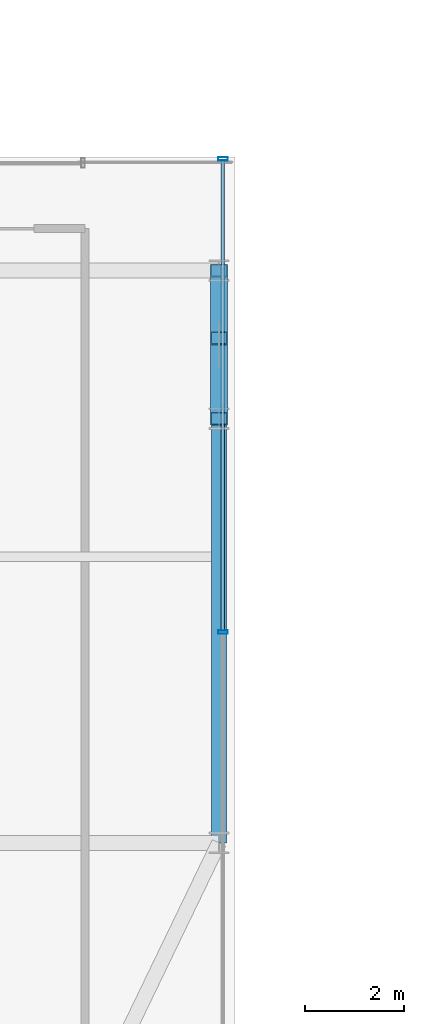
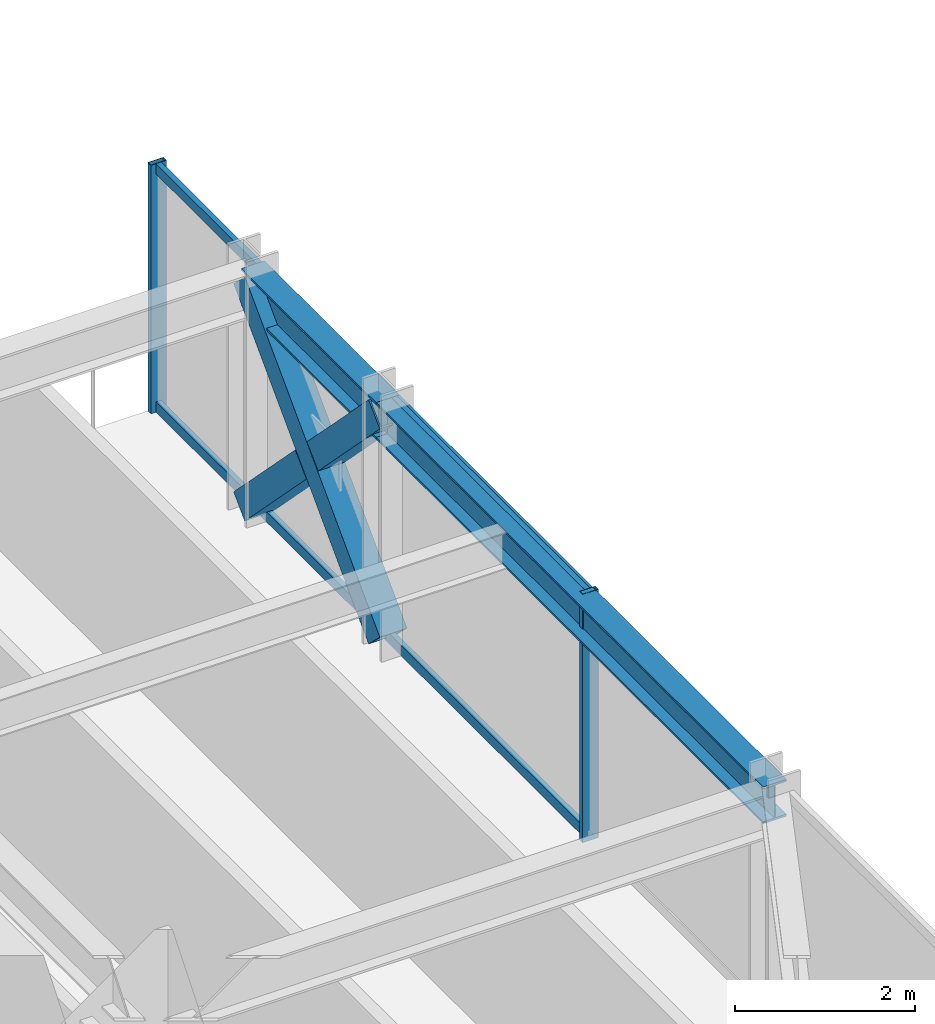
# One storey, part 18 of 43: 7 members, 2 beams, 1 element without a shape of its own.
"""IFC4 building model written with IfcOpenShell, lengths in metres."""

import ifcopenshell
import ifcopenshell.guid

model = None  # the IFC model being written
_history = None  # IfcOwnerHistory: only IFC2X3 demands one
_inside = {}  # id of a spatial element -> (the spatial element, [elements in it])
_under = {}  # id of a project, library or spatial element -> (it, [spatial elements below it])
_declared = {}  # id of a project -> (the project, [libraries it declares])
_typed = {}  # id of a type object -> (the type object, [elements of that type])
_made_of = {}  # id of a material, layer set ... -> (it, [elements and type objects made of it])


def new_model(schema):
    """Start an empty IFC model of exactly this schema.

    Asked for "IFC4X3", IfcOpenShell would pick the latest addendum, in which some entities
    have other attributes; the version numbers below select the first issue.
    IFC2X3 requires an IfcOwnerHistory on every rooted entity: one is made here for all.
    """
    global model, _history
    if schema == "IFC4X3":
        model = ifcopenshell.file(schema_version=(4, 3, 0, 0))
    else:
        model = ifcopenshell.file(schema=schema)
    _inside.clear()
    _under.clear()
    _declared.clear()
    _typed.clear()
    _made_of.clear()
    _history = None
    if model.schema == "IFC2X3":
        org = make("IfcOrganization", Name="unknown")
        user = make(
            "IfcPersonAndOrganization",
            ThePerson=make("IfcPerson", FamilyName="unknown"),
            TheOrganization=org,
        )
        app = make(
            "IfcApplication",
            ApplicationDeveloper=org,
            Version="unknown",
            ApplicationFullName="unknown",
            ApplicationIdentifier="unknown",
        )
        _history = make(
            "IfcOwnerHistory",
            OwningUser=user,
            OwningApplication=app,
            ChangeAction="ADDED",
            CreationDate=0,
        )
    return model


def make(cls, **values):
    """One entity of the class cls with the attributes given. An attribute that is None is left unset."""
    return model.create_entity(
        cls, **{name: value for name, value in values.items() if value is not None}
    )


def rooted(cls, **values):
    """An entity with a GlobalId (a new one), such as an element, a storey or a relation."""
    return make(cls, GlobalId=ifcopenshell.guid.new(), OwnerHistory=_history, **values)


def si_unit(unit_type, name, prefix=None):
    """IfcSIUnit, for example si_unit("LENGTHUNIT", "METRE", prefix="MILLI")."""
    return make("IfcSIUnit", UnitType=unit_type, Prefix=prefix, Name=name)


def assignment(units):
    """IfcUnitAssignment: the units of a project."""
    return None if units is None else make("IfcUnitAssignment", Units=units)


def point(xyz):
    """IfcCartesianPoint."""
    return None if xyz is None else make("IfcCartesianPoint", Coordinates=xyz)


def direction(xyz):
    """IfcDirection."""
    return None if xyz is None else make("IfcDirection", DirectionRatios=xyz)


def frame(location, z_axis=None, x_axis=None):
    """IfcAxis2Placement3D, a coordinate frame: its origin and axes. An axis left out is left unset."""
    return make(
        "IfcAxis2Placement3D",
        Location=point(location),
        Axis=direction(z_axis),
        RefDirection=direction(x_axis),
    )


def frame_2d(location, x_axis=None):
    """IfcAxis2Placement2D, a coordinate frame in the plane: its origin and x axis."""
    return make(
        "IfcAxis2Placement2D", Location=point(location), RefDirection=direction(x_axis)
    )


def origin():
    """The frame at (0, 0, 0) with its axes left unset."""
    return frame((0.0, 0.0, 0.0))


def origin_2d():
    """The frame at (0, 0) in the plane with its x axis left unset."""
    return frame_2d((0.0, 0.0))


def place(relative_to, where):
    """IfcLocalPlacement: puts the frame where relative to a parent placement (None: the world)."""
    return make(
        "IfcLocalPlacement", PlacementRelTo=relative_to, RelativePlacement=where
    )


def context(
    kind, dimensions, precision=None, world=None, true_north=None, identifier=None
):
    """IfcGeometricRepresentationContext, for example the 3D "Model" context."""
    return make(
        "IfcGeometricRepresentationContext",
        ContextIdentifier=identifier,
        ContextType=kind,
        CoordinateSpaceDimension=dimensions,
        Precision=precision,
        WorldCoordinateSystem=world,
        TrueNorth=true_north,
    )


def subcontext(parent, identifier, kind, view, scale=None):
    """IfcGeometricRepresentationSubContext, for example "Body" below "Model"."""
    return make(
        "IfcGeometricRepresentationSubContext",
        ContextIdentifier=identifier,
        ContextType=kind,
        ParentContext=parent,
        TargetScale=scale,
        TargetView=view,
    )


def project(units=None, contexts=None):
    """IfcProject with its units and contexts."""
    return rooted(
        "IfcProject",
        Name="project",
        RepresentationContexts=contexts,
        UnitsInContext=assignment(units),
    )


def spatial(cls, under=None, at=None, **own):
    """A site, building, storey or space (cls), placed at a placement, below another one or the project."""
    s = rooted(cls, ObjectPlacement=at, **own)
    if under is not None:
        _under.setdefault(under.id(), (under, []))[1].append(s)
    return s


def profile(cls, at=None, kind="AREA", **sizes):
    """A parametric profile (cls). Its sizes go by their IFC names, for example OverallWidth=200.0."""
    return make(cls, ProfileType=kind, Position=at, **sizes)


def hollow_rectangle(**sizes):
    """IfcRectangleHollowProfileDef."""
    return profile("IfcRectangleHollowProfileDef", **sizes)


def i_section(**sizes):
    """IfcIShapeProfileDef."""
    return profile("IfcIShapeProfileDef", **sizes)


def extrude(swept, where, along, depth):
    """IfcExtrudedAreaSolid: the profile swept, set in the frame where, extruded along a direction by depth."""
    return make(
        "IfcExtrudedAreaSolid",
        SweptArea=swept,
        Position=where,
        ExtrudedDirection=direction(along),
        Depth=depth,
    )


def shape(context_of_items, identifier, shape_type, items):
    """IfcShapeRepresentation: the items that make up one representation, for example the "Body"."""
    return make(
        "IfcShapeRepresentation",
        ContextOfItems=context_of_items,
        RepresentationIdentifier=identifier,
        RepresentationType=shape_type,
        Items=items,
    )


def source(mapping_origin, context_of_items, identifier, shape_type, items):
    """IfcRepresentationMap: a shape defined once, which mapped items show again and again."""
    return make(
        "IfcRepresentationMap",
        MappingOrigin=mapping_origin,
        MappedRepresentation=shape(context_of_items, identifier, shape_type, items),
    )


def transform(
    local_origin,
    x_axis=None,
    y_axis=None,
    z_axis=None,
    scale=None,
    scale2=None,
    scale3=None,
    uniform=True,
):
    """IfcCartesianTransformationOperator3D, or its non-uniform kind. x_axis, y_axis, z_axis: its Axis1, 2, 3."""
    if uniform:
        return make(
            "IfcCartesianTransformationOperator3D",
            Axis1=direction(x_axis),
            Axis2=direction(y_axis),
            LocalOrigin=point(local_origin),
            Scale=scale,
            Axis3=direction(z_axis),
        )
    return make(
        "IfcCartesianTransformationOperator3DnonUniform",
        Axis1=direction(x_axis),
        Axis2=direction(y_axis),
        LocalOrigin=point(local_origin),
        Scale=scale,
        Axis3=direction(z_axis),
        Scale2=scale2,
        Scale3=scale3,
    )


def mapped(mapping_source, mapping_target):
    """IfcMappedItem: shows the shape of a source again, moved by a transform."""
    return make(
        "IfcMappedItem", MappingSource=mapping_source, MappingTarget=mapping_target
    )


def material(Name=None, Category=None):
    """IfcMaterial."""
    return make("IfcMaterial", Name=Name, Category=Category)


def material_profile(
    of_material, cross_section, Name=None, Category=None, Priority=None
):
    """IfcMaterialProfile: a cross section and its material."""
    return make(
        "IfcMaterialProfile",
        Name=Name,
        Material=of_material,
        Profile=cross_section,
        Priority=Priority,
        Category=Category,
    )


def profile_set(profiles, Name=None, composite=None):
    """IfcMaterialProfileSet."""
    return make(
        "IfcMaterialProfileSet",
        Name=Name,
        MaterialProfiles=profiles,
        CompositeProfile=composite,
    )


def made_of(thing, what):
    """Note that an element or type object is made of a material, layer set ...; save() writes the relation."""
    if what is not None:
        _made_of.setdefault(what.id(), (what, []))[1].append(thing)
    return thing


def type_object(cls, material=None, **own):
    """A type object (cls), such as IfcWallType, which elements share."""
    return made_of(rooted(cls, **own), material)


def element(
    cls,
    number,
    at=None,
    inside=None,
    cuts=None,
    type_object=None,
    material=None,
    context=None,
    identifier="Body",
    shape_type=None,
    held_by="IfcProductDefinitionShape",
    body=None,
    shapes=None,
    **own,
):
    """One element of the class cls, such as IfcWall. Its Tag is "e" and its number.

    at: its placement. inside: the storey or other place that contains it. cuts: it is an
    opening in that element (IfcRelVoidsElement). A single representation is given by context,
    identifier, shape_type and body (its items); several are given by shapes. held_by: the class
    of the entity that holds the representations. save() writes the other relations.
    """
    e = rooted(cls, Tag="e%d" % number, ObjectPlacement=at, **own)
    if body is not None:
        shapes = [shape(context, identifier, shape_type, body)]
    if shapes is not None:
        e.Representation = make(held_by, Representations=shapes)
    if inside is not None:
        _inside.setdefault(inside.id(), (inside, []))[1].append(e)
    if cuts is not None:
        rooted(
            "IfcRelVoidsElement", RelatingBuildingElement=cuts, RelatedOpeningElement=e
        )
    if type_object is not None:
        _typed.setdefault(type_object.id(), (type_object, []))[1].append(e)
    return made_of(e, material)


def aggregate(whole, parts):
    """IfcRelAggregates: a whole, such as a stair, and the parts it consists of."""
    return rooted("IfcRelAggregates", RelatingObject=whole, RelatedObjects=parts)


def save(model, path):
    """Write the relations noted so far, then the file.

    IfcRelAggregates (storeys below a building ...), IfcRelContainedInSpatialStructure (elements
    in a storey), IfcRelDefinesByType, IfcRelAssociatesMaterial and IfcRelDeclares: one each for
    every whole, place, type object, material and project.
    """
    for whole, parts in _under.values():
        aggregate(whole, parts)
    for where, things in _inside.values():
        rooted(
            "IfcRelContainedInSpatialStructure",
            RelatedElements=things,
            RelatingStructure=where,
        )
    for kind, things in _typed.values():
        rooted("IfcRelDefinesByType", RelatedObjects=things, RelatingType=kind)
    for what, things in _made_of.values():
        rooted("IfcRelAssociatesMaterial", RelatedObjects=things, RelatingMaterial=what)
    for by, libraries in _declared.values():
        rooted("IfcRelDeclares", RelatingContext=by, RelatedDefinitions=libraries)
    model.write(path)


model = new_model("IFC4")

# Units and contexts
model_context = context("Model", 3, precision=1e-05, world=origin(), true_north=direction((0.0, 1.0)))
body_context = subcontext(model_context, "Body", "Model", "MODEL_VIEW")
ifc_project = project(units=[si_unit("LENGTHUNIT", "METRE"), si_unit("AREAUNIT", "SQUARE_METRE"), si_unit("VOLUMEUNIT", "CUBIC_METRE"), si_unit("PLANEANGLEUNIT", "RADIAN"), si_unit("MASSUNIT", "GRAM", prefix="KILO")], contexts=[model_context])

# Site, building, storey
site_placement = place(None, origin())
site = spatial("IfcSite", under=ifc_project, at=site_placement, CompositionType="ELEMENT")
building_placement = place(site_placement, origin())
building = spatial("IfcBuilding", under=site, at=building_placement, Name="Nahalor Promenade Grand Hotel", CompositionType="ELEMENT")
storey_placement = place(building_placement, frame((0.0, 0.0, 57.949951171875)))
storey = spatial("IfcBuildingStorey", under=building, at=storey_placement, Name="L13", CompositionType="ELEMENT", Elevation=57.949951171875)

# Beams
ifc_material_1 = material(Name="Steel S355JR", Category="steel")
ifc_material_profile_1 = material_profile(ifc_material_1, i_section(OverallWidth=0.3, OverallDepth=0.5, WebThickness=0.0145, FlangeThickness=0.028, at=origin_2d()), Name="HEB 500")
ifc_profile_set_1 = profile_set([ifc_material_profile_1], Name="Steel S355JR")
beam_type = type_object("IfcBeamType", Name="Beam-Spandrel-HEB500", PredefinedType="SPANDREL", material=ifc_profile_set_1)
shared_shape_1 = source(origin(), body_context, "Body", "SweptSolid", [
    extrude(i_section(OverallWidth=0.3, OverallDepth=0.5, WebThickness=0.0145, FlangeThickness=0.028, at=origin_2d()), origin(), (0.0, 0.0, 1.0), 8.60009765625),
])
beam_1_placement = place(storey_placement, frame((25.080078125, -17.0, 3.1201171875), z_axis=(0.0, 1.0, 0.0), x_axis=(-1.0, 0.0, 0.0)))
element("IfcBeam", 1, at=beam_1_placement, inside=storey, type_object=beam_type, Name="BM-L13-SP-E-0", PredefinedType="SPANDREL", context=body_context, shape_type="MappedRepresentation", body=[
    mapped(shared_shape_1, transform((0.0, 0.0, 0.0), scale=1.0)),
])
shared_shape_2 = source(origin(), body_context, "Body", "SweptSolid", [
    extrude(i_section(OverallWidth=0.3, OverallDepth=0.5, WebThickness=0.0145, FlangeThickness=0.028, at=origin_2d()), origin(), (0.0, 0.0, 1.0), 3.0),
])
beam_2_placement = place(storey_placement, frame((25.080078125, -8.39990234375, 3.1201171875), z_axis=(0.0, 1.0, 0.0), x_axis=(-1.0, 0.0, 0.0)))
element("IfcBeam", 2, at=beam_2_placement, inside=storey, type_object=beam_type, Name="BM-L13-SP-E-1", PredefinedType="SPANDREL", context=body_context, shape_type="MappedRepresentation", body=[
    mapped(shared_shape_2, transform((0.0, 0.0, 0.0), scale=1.0)),
])

# Members
ifc_material_profile_2 = material_profile(ifc_material_1, hollow_rectangle(XDim=0.35, YDim=0.35, WallThickness=0.02, at=origin_2d()), Name="SHS 350x350x20")
ifc_profile_set_2 = profile_set([ifc_material_profile_2], Name="Steel S355JR")
member_type_1 = type_object("IfcMemberType", Name="Mem-VoidBrace-SHS350", PredefinedType="BRACE", material=ifc_profile_set_2)
shared_shape_3 = source(origin(), body_context, "Body", "SweptSolid", [
    extrude(hollow_rectangle(XDim=0.35, YDim=0.35, WallThickness=0.02, at=origin_2d()), origin(), (0.0, 0.0, 1.0), 1.959228515625),
])
member_1_placement = place(storey_placement, frame((25.080078125, -5.39990234375, 0.150146484375), z_axis=(0.0, -0.698960471031, 0.715160303663), x_axis=(1.0, 0.0, 0.0)))
element("IfcMember", 3, at=member_1_placement, inside=storey, type_object=member_type_1, Name="EXO-L13-VX2-E0A", PredefinedType="BRACE", context=body_context, shape_type="MappedRepresentation", body=[
    mapped(shared_shape_3, transform((0.0, 0.0, 0.0), scale=1.0)),
])
shared_shape_4 = source(origin(), body_context, "Body", "SweptSolid", [
    extrude(hollow_rectangle(XDim=0.35, YDim=0.35, WallThickness=0.02, at=origin_2d()), origin(), (0.0, 0.0, 1.0), 1.958984375),
])
member_2_placement = place(storey_placement, frame((25.080078125, -7.03076171875, 1.81884765625), z_axis=(0.0, -0.698896728293, 0.715222596946), x_axis=(1.0, 0.0, 0.0)))
element("IfcMember", 4, at=member_2_placement, inside=storey, type_object=member_type_1, Name="EXO-L13-VX2-E0B", PredefinedType="BRACE", context=body_context, shape_type="MappedRepresentation", body=[
    mapped(shared_shape_4, transform((0.0, 0.0, 0.0), scale=1.0)),
])
shared_shape_5 = source(origin(), body_context, "Body", "SweptSolid", [
    extrude(hollow_rectangle(XDim=0.35, YDim=0.35, WallThickness=0.02, at=origin_2d()), origin(), (0.0, 0.0, 1.0), 4.292236328125),
])
member_3_placement = place(storey_placement, frame((25.080078125, -8.39990234375, 0.150146484375), z_axis=(0.0, 0.698926335708, 0.715193664159), x_axis=(-1.0, 0.0, 0.0)))
element("IfcMember", 5, at=member_3_placement, inside=storey, type_object=member_type_1, Name="EXO-L13-VX1-E0", PredefinedType="BRACE", context=body_context, shape_type="MappedRepresentation", body=[
    mapped(shared_shape_5, transform((0.0, 0.0, 0.0), scale=1.0)),
])

# Curtain wall, members
ifc_material_2 = material(Name="Anodised Bronze Aluminium EN AW-6063 T6", Category="aluminium")
curtain_wall_type = type_object("IfcCurtainWallType", Name="CW3 Elliptical-Void Collar Unitised Curtain Wall", PredefinedType="USERDEFINED", material=ifc_material_2)
curtain_wall_placement = place(storey_placement, origin())
curtain_wall = element("IfcCurtainWall", 6, at=curtain_wall_placement, inside=storey, type_object=curtain_wall_type, Name="L13 Curtain Wall CW-L13-E-1", ObjectType="UNITISED_CURTAIN_WALL", PredefinedType="USERDEFINED")
ifc_material_profile_3 = material_profile(ifc_material_2, hollow_rectangle(XDim=0.07, YDim=0.2, WallThickness=0.005, at=origin_2d()), Name="CWM 70x200x5")
ifc_profile_set_3 = profile_set([ifc_material_profile_3], Name="Anodised Bronze Aluminium EN AW-6063 T6")
member_type_2 = type_object("IfcMemberType", Name="CWM3 Void Collar Mullion 70x200", PredefinedType="MULLION", material=ifc_profile_set_3)
shared_shape_6 = source(origin(), body_context, "Body", "SweptSolid", [
    extrude(hollow_rectangle(XDim=0.07, YDim=0.2, WallThickness=0.005, at=origin_2d()), origin(), (0.0, 0.0, 1.0), 3.3701171875),
])
member_4_placement = place(storey_placement, frame((25.159912109375, -12.72998046875, 0.0), z_axis=(0.0, 0.0, 1.0), x_axis=(0.0, 1.0, 0.0)))
member_4 = element("IfcMember", 7, at=member_4_placement, type_object=member_type_2, Name="CW-L13-E-1 Mullion 1", PredefinedType="MULLION", context=body_context, shape_type="MappedRepresentation", body=[
    mapped(shared_shape_6, transform((0.0, 0.0, 0.0), scale=1.0)),
])
member_5_placement = place(storey_placement, frame((25.159912109375, -3.135009765625, 0.0), z_axis=(0.0, 0.0, 1.0), x_axis=(0.0, 1.0, 0.0)))
member_5 = element("IfcMember", 8, at=member_5_placement, type_object=member_type_2, Name="CW-L13-E-1 Mullion 2", PredefinedType="MULLION", context=body_context, shape_type="MappedRepresentation", body=[
    mapped(shared_shape_6, transform((0.0, 0.0, 0.0), scale=1.0)),
])
ifc_material_profile_4 = material_profile(ifc_material_2, hollow_rectangle(XDim=0.07, YDim=0.14, WallThickness=0.004, at=origin_2d()), Name="CWT 70x140x4")
ifc_profile_set_4 = profile_set([ifc_material_profile_4], Name="Anodised Bronze Aluminium EN AW-6063 T6")
member_type_3 = type_object("IfcMemberType", Name="CWT3 Void Collar Transom 70x140", PredefinedType="USERDEFINED", material=ifc_profile_set_4)
shared_shape_7 = source(origin(), body_context, "Body", "SweptSolid", [
    extrude(hollow_rectangle(XDim=0.07, YDim=0.14, WallThickness=0.004, at=origin_2d()), origin(), (0.0, 0.0, 1.0), 9.525146484375),
])
member_6_placement = place(storey_placement, frame((25.159912109375, -12.695068359375, 0.070068359375), z_axis=(0.0, 1.0, 0.0), x_axis=(-1.0, 0.0, 0.0)))
member_6 = element("IfcMember", 9, at=member_6_placement, type_object=member_type_3, Name="CW-L13-E-1 Transom 1-0", ObjectType="TRANSOM", PredefinedType="USERDEFINED", context=body_context, shape_type="MappedRepresentation", body=[
    mapped(shared_shape_7, transform((0.0, 0.0, 0.0), scale=1.0)),
])
member_7_placement = place(storey_placement, frame((25.159912109375, -12.695068359375, 3.300048828125), z_axis=(0.0, 1.0, 0.0), x_axis=(-1.0, 0.0, 0.0)))
member_7 = element("IfcMember", 10, at=member_7_placement, type_object=member_type_3, Name="CW-L13-E-1 Transom 1-1", ObjectType="TRANSOM", PredefinedType="USERDEFINED", context=body_context, shape_type="MappedRepresentation", body=[
    mapped(shared_shape_7, transform((0.0, 0.0, 0.0), scale=1.0)),
])
aggregate(curtain_wall, [member_4, member_5, member_6, member_7])

save(model, "model.ifc")
